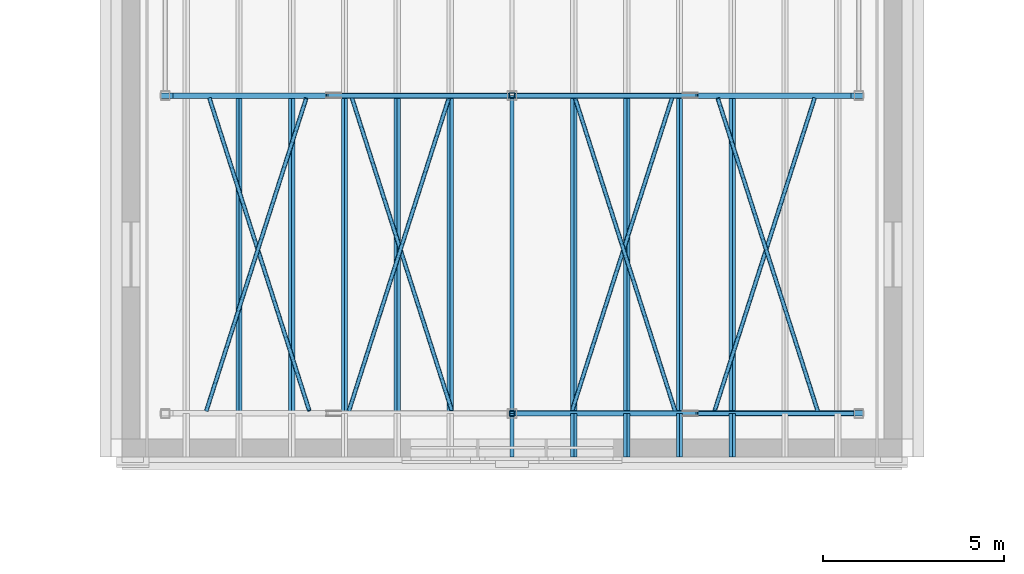
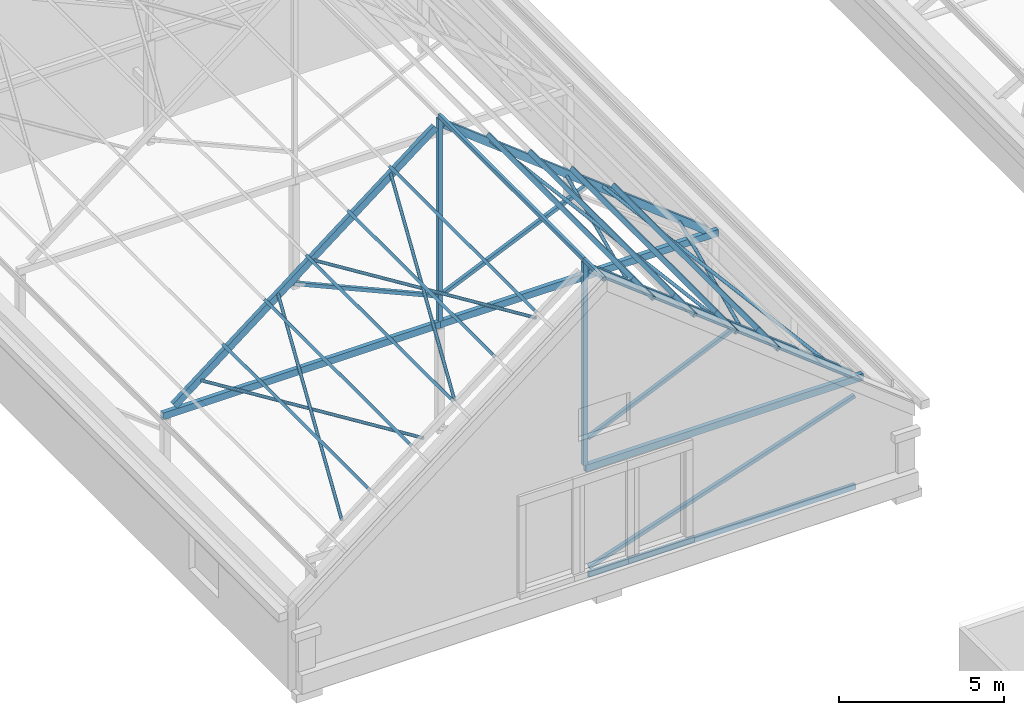
# One storey, part 34 of 127: 32 members, 4 beams.
"""IFC4 building model written with IfcOpenShell, lengths in metres."""

from ifc_helpers import new_model, si_unit, direction, frame, origin, origin_2d, place, context, subcontext, project, spatial, hollow_rectangle, hollow_circle, extrude, material, material_profile, profile_set, type_object, element, save


model = new_model("IFC4")

# Units and contexts
model_context = context("Model", 3, precision=1e-05, world=origin(), true_north=direction((0.0, 1.0)))
body_context = subcontext(model_context, "Body", "Model", "MODEL_VIEW")
ifc_project = project(units=[si_unit("LENGTHUNIT", "METRE"), si_unit("AREAUNIT", "SQUARE_METRE"), si_unit("VOLUMEUNIT", "CUBIC_METRE"), si_unit("PLANEANGLEUNIT", "RADIAN"), si_unit("MASSUNIT", "GRAM", prefix="KILO")], contexts=[model_context])

# Site, building, storey
site_placement = place(None, origin())
site = spatial("IfcSite", under=ifc_project, at=site_placement, CompositionType="ELEMENT")
building_placement = place(site_placement, origin())
building = spatial("IfcBuilding", under=site, at=building_placement, Name="Verrick Yard Athletic Hall", CompositionType="ELEMENT")
storey_placement = place(building_placement, frame((0.0, 0.0, 14.0)))
storey = spatial("IfcBuildingStorey", under=building, at=storey_placement, Name="L03", CompositionType="ELEMENT", Elevation=14.0)

# Beam
ifc_material = material(Name="Structural steel HSS Class C 350W (CSA G40.20/G40.21)", Category="steel")
ifc_material_profile_1 = material_profile(ifc_material, hollow_rectangle(XDim=0.1015625, YDim=0.203125, WallThickness=0.009521484375, at=origin_2d()), Name="HSS203x102x9.5")
ifc_profile_set_1 = profile_set([ifc_material_profile_1], Name="Structural steel HSS Class C 350W (CSA G40.20/G40.21)")
beam_type_1 = type_object("IfcBeamType", Name="HB eaves girt HSS203x102x9.5", PredefinedType="BEAM", material=ifc_profile_set_1)
beam_placement = place(storey_placement, frame((98.927001953125, 73.199951171875, 0.0), z_axis=(1.0, 0.0, 0.0), x_axis=(0.0, 1.0, 0.0)))
element("IfcBeam", 1, at=beam_placement, inside=storey, type_object=beam_type_1, Name="HB-GT-CS-L03", PredefinedType="BEAM", context=body_context, shape_type="SweptSolid", body=[
    extrude(hollow_rectangle(XDim=0.1015625, YDim=0.203125, WallThickness=0.009521484375, at=origin_2d()), origin(), (0.0, 0.0, 1.0), 9.345947265625),
])

# Members
ifc_material_profile_2 = material_profile(ifc_material, hollow_rectangle(XDim=0.15234375, YDim=0.15234375, WallThickness=0.0126953125, at=origin_2d()), Name="HSS152x152x13")
ifc_profile_set_2 = profile_set([ifc_material_profile_2], Name="Structural steel HSS Class C 350W (CSA G40.20/G40.21)")
member_type_1 = type_object("IfcMemberType", Name="HB king post HSS152x152x13", PredefinedType="POST", material=ifc_profile_set_2)
for number, where, z_axis, x_axis, name in (
    (2, (98.800048828125, 73.199951171875, 4.116455078125), (0.0, 0.0, 1.0), (0.0, 1.0, 0.0), "HB-KP-1"),
    (3, (98.800048828125, 82.0, 4.116455078125), (0.0, 0.0, 1.0), (0.0, 1.0, 0.0), "HB-KP-2"),
):
    element("IfcMember", number, at=place(storey_placement, frame(where, z_axis=z_axis, x_axis=x_axis)), inside=storey, type_object=member_type_1, Name=name, PredefinedType="POST", context=body_context, shape_type="SweptSolid", body=[
        extrude(hollow_rectangle(XDim=0.15234375, YDim=0.15234375, WallThickness=0.0126953125, at=origin_2d()), origin(), (0.0, 0.0, 1.0), 7.501220703125),
    ])
ifc_material_profile_3 = material_profile(ifc_material, hollow_rectangle(XDim=0.15234375, YDim=0.25390625, WallThickness=0.009521484375, at=origin_2d()), Name="HSS254x152x9.5")
ifc_profile_set_3 = profile_set([ifc_material_profile_3], Name="Structural steel HSS Class C 350W (CSA G40.20/G40.21)")
member_type_2 = type_object("IfcMemberType", Name="HB rafter HSS254x152x9.5", PredefinedType="RAFTER", material=ifc_profile_set_3)
member_1_placement = place(storey_placement, frame((108.10791015625, 73.199951171875, 4.216552734375), z_axis=(-0.789352217376, 0.0, 0.613940613515), x_axis=(0.0, -1.0, 0.0)))
element("IfcMember", 4, at=member_1_placement, inside=storey, type_object=member_type_2, Name="HB-RF-1E", PredefinedType="RAFTER", context=body_context, shape_type="SweptSolid", body=[
    extrude(hollow_rectangle(XDim=0.15234375, YDim=0.25390625, WallThickness=0.009521484375, at=origin_2d()), origin(), (0.0, 0.0, 1.0), 11.5966796875),
])
member_2_placement = place(storey_placement, frame((89.4921875, 82.0, 4.216552734375), z_axis=(0.789344281907, 0.0, 0.613950816125), x_axis=(0.0, 1.0, 0.0)))
element("IfcMember", 5, at=member_2_placement, inside=storey, type_object=member_type_2, Name="HB-RF-2W", PredefinedType="RAFTER", context=body_context, shape_type="SweptSolid", body=[
    extrude(hollow_rectangle(XDim=0.15234375, YDim=0.25390625, WallThickness=0.009521484375, at=origin_2d()), origin(), (0.0, 0.0, 1.0), 11.596435546875),
])
member_3_placement = place(storey_placement, frame((108.10791015625, 82.0, 4.216552734375), z_axis=(-0.789352217376, 0.0, 0.613940613515), x_axis=(0.0, -1.0, 0.0)))
element("IfcMember", 6, at=member_3_placement, inside=storey, type_object=member_type_2, Name="HB-RF-2E", PredefinedType="RAFTER", context=body_context, shape_type="SweptSolid", body=[
    extrude(hollow_rectangle(XDim=0.15234375, YDim=0.25390625, WallThickness=0.009521484375, at=origin_2d()), origin(), (0.0, 0.0, 1.0), 11.5966796875),
])
ifc_material_profile_4 = material_profile(ifc_material, hollow_circle(Radius=0.05712890625, WallThickness=0.00634765625, at=origin_2d()), Name="HSS114x6.4")
ifc_profile_set_4 = profile_set([ifc_material_profile_4], Name="Structural steel HSS Class C 350W (CSA G40.20/G40.21)")
member_type_3 = type_object("IfcMemberType", Name="HB roof brace HSS114x6.4", PredefinedType="BRACE", material=ifc_profile_set_4)
for number, where, z_axis, x_axis, name in (
    (7, (90.341064453125, 73.276123046875, 4.965576171875), (0.296137364002, 0.926960195325, 0.230320337626), (-0.952570172224, 0.304319021735, 0.0), "HB-BR-C-W11a"),
    (8, (93.189697265625, 73.276123046875, 7.00390625), (-0.296135578968, 0.926954607866, -0.230345118953), (-0.952570172224, -0.304319021735, 0.0), "HB-BR-C-W11b"),
    (9, (94.287841796875, 73.276123046875, 8.03515625), (0.296135578968, 0.926954607866, 0.230345118953), (-0.952570172224, 0.304319021735, 0.0), "HB-BR-C-W12a"),
    (10, (97.136474609375, 73.276123046875, 10.073486328125), (-0.296137364002, 0.926960195325, -0.230320337626), (-0.952570172224, -0.304319021735, 0.0), "HB-BR-C-W12b"),
    (11, (107.259033203125, 73.276123046875, 4.965576171875), (-0.296161238495, 0.926953011286, 0.230318552619), (-0.952562376147, -0.304343423699, 0.0), "HB-BR-C-E11a"),
):
    element("IfcMember", number, at=place(storey_placement, frame(where, z_axis=z_axis, x_axis=x_axis)), inside=storey, type_object=member_type_3, Name=name, PredefinedType="BRACE", context=body_context, shape_type="SweptSolid", body=[
        extrude(hollow_circle(Radius=0.05712890625, WallThickness=0.00634765625, at=origin_2d()), origin(), (0.0, 0.0, 1.0), 9.3291015625),
    ])
member_4_placement = place(storey_placement, frame((104.41015625, 73.276123046875, 7.00390625), z_axis=(0.296159453345, 0.926947423957, -0.230343333776), x_axis=(-0.952562376147, 0.304343423699, 0.0)))
element("IfcMember", 12, at=member_4_placement, inside=storey, type_object=member_type_3, Name="HB-BR-C-E11b", PredefinedType="BRACE", context=body_context, shape_type="SweptSolid", body=[
    extrude(hollow_circle(Radius=0.05712890625, WallThickness=0.00634765625, at=origin_2d()), origin(), (0.0, 0.0, 1.0), 9.329345703125),
])
for number, where, z_axis, x_axis, name in (
    (13, (103.312255859375, 73.276123046875, 8.03515625), (-0.296135578968, 0.926954607866, 0.230345118953), (-0.952570172224, -0.304319021735, 0.0), "HB-BR-C-E12a"),
    (14, (100.463623046875, 73.276123046875, 10.073486328125), (0.296137364002, 0.926960195325, -0.230320337626), (-0.952570172224, 0.304319021735, 0.0), "HB-BR-C-E12b"),
):
    element("IfcMember", number, at=place(storey_placement, frame(where, z_axis=z_axis, x_axis=x_axis)), inside=storey, type_object=member_type_3, Name=name, PredefinedType="BRACE", context=body_context, shape_type="SweptSolid", body=[
        extrude(hollow_circle(Radius=0.05712890625, WallThickness=0.00634765625, at=origin_2d()), origin(), (0.0, 0.0, 1.0), 9.3291015625),
    ])
ifc_material_profile_5 = material_profile(ifc_material, hollow_rectangle(XDim=0.1015625, YDim=0.15234375, WallThickness=0.008056640625, at=origin_2d()), Name="HSS152x102x7.9")
ifc_profile_set_5 = profile_set([ifc_material_profile_5], Name="Structural steel HSS Class C 350W (CSA G40.20/G40.21)")
member_type_4 = type_object("IfcMemberType", Name="HB roof purlin HSS152x102x7.9", PredefinedType="PURLIN", material=ifc_profile_set_5)
for number, where, z_axis, x_axis, name in (
    (15, (91.245849609375, 73.199951171875, 5.838134765625), (0.0, 1.0, 0.0), (-0.789352213638, 0.0, -0.613940618322), "HB-PU-C-W2-2"),
    (16, (92.706298828125, 73.199951171875, 6.973876953125), (0.0, 1.0, 0.0), (-0.789352213638, 0.0, -0.613940618322), "HB-PU-C-W3-2"),
    (17, (94.16650390625, 73.199951171875, 8.109619140625), (0.0, 1.0, 0.0), (-0.789352213638, 0.0, -0.613940618322), "HB-PU-C-W4-2"),
    (18, (95.626953125, 73.199951171875, 9.245361328125), (0.0, 1.0, 0.0), (-0.789352213638, 0.0, -0.613940618322), "HB-PU-C-W5-2"),
    (19, (97.087158203125, 73.199951171875, 10.38134765625), (0.0, 1.0, 0.0), (-0.789352213638, 0.0, -0.613940618322), "HB-PU-C-W6-2"),
):
    element("IfcMember", number, at=place(storey_placement, frame(where, z_axis=z_axis, x_axis=x_axis)), inside=storey, type_object=member_type_4, Name=name, PredefinedType="PURLIN", context=body_context, shape_type="SweptSolid", body=[
        extrude(hollow_rectangle(XDim=0.1015625, YDim=0.15234375, WallThickness=0.008056640625, at=origin_2d()), origin(), (0.0, 0.0, 1.0), 8.800048828125),
    ])
member_5_placement = place(storey_placement, frame((104.893798828125, 72.0, 6.973876953125), z_axis=(0.0, 1.0, 0.0), x_axis=(-0.789352213638, 0.0, 0.613940618322)))
element("IfcMember", 20, at=member_5_placement, inside=storey, type_object=member_type_4, Name="HB-PU-C-E3-1", PredefinedType="PURLIN", context=body_context, shape_type="SweptSolid", body=[
    extrude(hollow_rectangle(XDim=0.1015625, YDim=0.15234375, WallThickness=0.008056640625, at=origin_2d()), origin(), (0.0, 0.0, 1.0), 1.199951171875),
])
member_6_placement = place(storey_placement, frame((104.893798828125, 73.199951171875, 6.973876953125), z_axis=(0.0, 1.0, 0.0), x_axis=(-0.789352213638, 0.0, 0.613940618322)))
element("IfcMember", 21, at=member_6_placement, inside=storey, type_object=member_type_4, Name="HB-PU-C-E3-2", PredefinedType="PURLIN", context=body_context, shape_type="SweptSolid", body=[
    extrude(hollow_rectangle(XDim=0.1015625, YDim=0.15234375, WallThickness=0.008056640625, at=origin_2d()), origin(), (0.0, 0.0, 1.0), 8.800048828125),
])
member_7_placement = place(storey_placement, frame((103.433349609375, 72.0, 8.109619140625), z_axis=(0.0, 1.0, 0.0), x_axis=(-0.789352213638, 0.0, 0.613940618322)))
element("IfcMember", 22, at=member_7_placement, inside=storey, type_object=member_type_4, Name="HB-PU-C-E4-1", PredefinedType="PURLIN", context=body_context, shape_type="SweptSolid", body=[
    extrude(hollow_rectangle(XDim=0.1015625, YDim=0.15234375, WallThickness=0.008056640625, at=origin_2d()), origin(), (0.0, 0.0, 1.0), 1.199951171875),
])
member_8_placement = place(storey_placement, frame((103.433349609375, 73.199951171875, 8.109619140625), z_axis=(0.0, 1.0, 0.0), x_axis=(-0.789352213638, 0.0, 0.613940618322)))
element("IfcMember", 23, at=member_8_placement, inside=storey, type_object=member_type_4, Name="HB-PU-C-E4-2", PredefinedType="PURLIN", context=body_context, shape_type="SweptSolid", body=[
    extrude(hollow_rectangle(XDim=0.1015625, YDim=0.15234375, WallThickness=0.008056640625, at=origin_2d()), origin(), (0.0, 0.0, 1.0), 8.800048828125),
])
member_9_placement = place(storey_placement, frame((101.97314453125, 72.0, 9.245361328125), z_axis=(0.0, 1.0, 0.0), x_axis=(-0.789352213638, 0.0, 0.613940618322)))
element("IfcMember", 24, at=member_9_placement, inside=storey, type_object=member_type_4, Name="HB-PU-C-E5-1", PredefinedType="PURLIN", context=body_context, shape_type="SweptSolid", body=[
    extrude(hollow_rectangle(XDim=0.1015625, YDim=0.15234375, WallThickness=0.008056640625, at=origin_2d()), origin(), (0.0, 0.0, 1.0), 1.199951171875),
])
member_10_placement = place(storey_placement, frame((101.97314453125, 73.199951171875, 9.245361328125), z_axis=(0.0, 1.0, 0.0), x_axis=(-0.789352213638, 0.0, 0.613940618322)))
element("IfcMember", 25, at=member_10_placement, inside=storey, type_object=member_type_4, Name="HB-PU-C-E5-2", PredefinedType="PURLIN", context=body_context, shape_type="SweptSolid", body=[
    extrude(hollow_rectangle(XDim=0.1015625, YDim=0.15234375, WallThickness=0.008056640625, at=origin_2d()), origin(), (0.0, 0.0, 1.0), 8.800048828125),
])
member_11_placement = place(storey_placement, frame((100.512939453125, 72.0, 10.38134765625), z_axis=(0.0, 1.0, 0.0), x_axis=(-0.789352213638, 0.0, 0.613940618322)))
element("IfcMember", 26, at=member_11_placement, inside=storey, type_object=member_type_4, Name="HB-PU-C-E6-1", PredefinedType="PURLIN", context=body_context, shape_type="SweptSolid", body=[
    extrude(hollow_rectangle(XDim=0.1015625, YDim=0.15234375, WallThickness=0.008056640625, at=origin_2d()), origin(), (0.0, 0.0, 1.0), 1.199951171875),
])
member_12_placement = place(storey_placement, frame((100.512939453125, 73.199951171875, 10.38134765625), z_axis=(0.0, 1.0, 0.0), x_axis=(-0.789352213638, 0.0, 0.613940618322)))
element("IfcMember", 27, at=member_12_placement, inside=storey, type_object=member_type_4, Name="HB-PU-C-E6-2", PredefinedType="PURLIN", context=body_context, shape_type="SweptSolid", body=[
    extrude(hollow_rectangle(XDim=0.1015625, YDim=0.15234375, WallThickness=0.008056640625, at=origin_2d()), origin(), (0.0, 0.0, 1.0), 8.800048828125),
])
member_13_placement = place(storey_placement, frame((98.800048828125, 72.0, 11.69384765625), z_axis=(0.0, 1.0, 0.0), x_axis=(-1.0, 0.0, 0.0)))
element("IfcMember", 28, at=member_13_placement, inside=storey, type_object=member_type_4, Name="HB-PU-C-R-1", PredefinedType="PURLIN", context=body_context, shape_type="SweptSolid", body=[
    extrude(hollow_rectangle(XDim=0.1015625, YDim=0.15234375, WallThickness=0.008056640625, at=origin_2d()), origin(), (0.0, 0.0, 1.0), 1.199951171875),
])
member_14_placement = place(storey_placement, frame((98.800048828125, 73.199951171875, 11.69384765625), z_axis=(0.0, 1.0, 0.0), x_axis=(-1.0, 0.0, 0.0)))
element("IfcMember", 29, at=member_14_placement, inside=storey, type_object=member_type_4, Name="HB-PU-C-R-2", PredefinedType="PURLIN", context=body_context, shape_type="SweptSolid", body=[
    extrude(hollow_rectangle(XDim=0.1015625, YDim=0.15234375, WallThickness=0.008056640625, at=origin_2d()), origin(), (0.0, 0.0, 1.0), 8.800048828125),
])
ifc_material_profile_6 = material_profile(ifc_material, hollow_rectangle(XDim=0.126953125, YDim=0.126953125, WallThickness=0.009521484375, at=origin_2d()), Name="HSS127x127x9.5")
ifc_profile_set_6 = profile_set([ifc_material_profile_6], Name="Structural steel HSS Class C 350W (CSA G40.20/G40.21)")
member_type_5 = type_object("IfcMemberType", Name="HB roof strut HSS127x127x9.5", PredefinedType="STRUT", material=ifc_profile_set_6)
member_15_placement = place(storey_placement, frame((98.90185546875, 73.199951171875, 5.061279296875), z_axis=(0.914674353107, 0.0, 0.404191573105), x_axis=(0.0, 1.0, 0.0)))
element("IfcMember", 30, at=member_15_placement, inside=storey, type_object=member_type_5, Name="HB-RS-1E", PredefinedType="STRUT", context=body_context, shape_type="SweptSolid", body=[
    extrude(hollow_rectangle(XDim=0.126953125, YDim=0.126953125, WallThickness=0.009521484375, at=origin_2d()), origin(), (0.0, 0.0, 1.0), 5.482666015625),
])
member_16_placement = place(storey_placement, frame((98.6982421875, 82.0, 5.061279296875), z_axis=(-0.914681627435, 0.0, 0.4041751111), x_axis=(0.0, -1.0, 0.0)))
element("IfcMember", 31, at=member_16_placement, inside=storey, type_object=member_type_5, Name="HB-RS-2W", PredefinedType="STRUT", context=body_context, shape_type="SweptSolid", body=[
    extrude(hollow_rectangle(XDim=0.126953125, YDim=0.126953125, WallThickness=0.009521484375, at=origin_2d()), origin(), (0.0, 0.0, 1.0), 5.48291015625),
])
member_17_placement = place(storey_placement, frame((98.90185546875, 82.0, 5.061279296875), z_axis=(0.914674353107, 0.0, 0.404191573105), x_axis=(0.0, 1.0, 0.0)))
element("IfcMember", 32, at=member_17_placement, inside=storey, type_object=member_type_5, Name="HB-RS-2E", PredefinedType="STRUT", context=body_context, shape_type="SweptSolid", body=[
    extrude(hollow_rectangle(XDim=0.126953125, YDim=0.126953125, WallThickness=0.009521484375, at=origin_2d()), origin(), (0.0, 0.0, 1.0), 5.482666015625),
])

# Beams
ifc_material_profile_7 = material_profile(ifc_material, hollow_rectangle(XDim=0.15234375, YDim=0.25390625, WallThickness=0.009521484375, at=origin_2d()), Name="HSS254x152x9.5")
ifc_profile_set_7 = profile_set([ifc_material_profile_7], Name="Structural steel HSS Class C 350W (CSA G40.20/G40.21)")
beam_type_2 = type_object("IfcBeamType", Name="HB roof tie HSS254x152x9.5", PredefinedType="BEAM", material=ifc_profile_set_7)
for number, where, z_axis, x_axis, name in (
    (33, (108.527099609375, 73.199951171875, 3.9892578125), (-1.0, 0.0, 0.0), (0.0, -1.0, 0.0), "HB-RT-1E"),
    (34, (89.072998046875, 82.0, 3.9892578125), (1.0, 0.0, 0.0), (0.0, 1.0, 0.0), "HB-RT-2W"),
    (35, (108.527099609375, 82.0, 3.9892578125), (-1.0, 0.0, 0.0), (0.0, -1.0, 0.0), "HB-RT-2E"),
):
    element("IfcBeam", number, at=place(storey_placement, frame(where, z_axis=z_axis, x_axis=x_axis)), inside=storey, type_object=beam_type_2, Name=name, PredefinedType="BEAM", context=body_context, shape_type="SweptSolid", body=[
        extrude(hollow_rectangle(XDim=0.15234375, YDim=0.25390625, WallThickness=0.009521484375, at=origin_2d()), origin(), (0.0, 0.0, 1.0), 9.72705078125),
    ])

# Member
ifc_material_profile_8 = material_profile(ifc_material, hollow_rectangle(XDim=0.126953125, YDim=0.126953125, WallThickness=0.009521484375, at=origin_2d()), Name="HSS127x127x9.5")
ifc_profile_set_8 = profile_set([ifc_material_profile_8], Name="Structural steel HSS Class C 350W (CSA G40.20/G40.21)")
member_type_6 = type_object("IfcMemberType", Name="HB wall brace HSS127x127x9.5", PredefinedType="BRACE", material=ifc_profile_set_8)
member_18_placement = place(storey_placement, frame((98.947021484375, 73.199951171875, 0.25830078125), z_axis=(0.94882260317, 0.0, 0.315809543417), x_axis=(0.0, 1.0, 0.0)))
element("IfcMember", 36, at=member_18_placement, inside=storey, type_object=member_type_6, Name="HB-BRW-CS-L03", PredefinedType="BRACE", context=body_context, shape_type="SweptSolid", body=[
    extrude(hollow_rectangle(XDim=0.126953125, YDim=0.126953125, WallThickness=0.009521484375, at=origin_2d()), origin(), (0.0, 0.0, 1.0), 9.807861328125),
])

save(model, "model.ifc")
